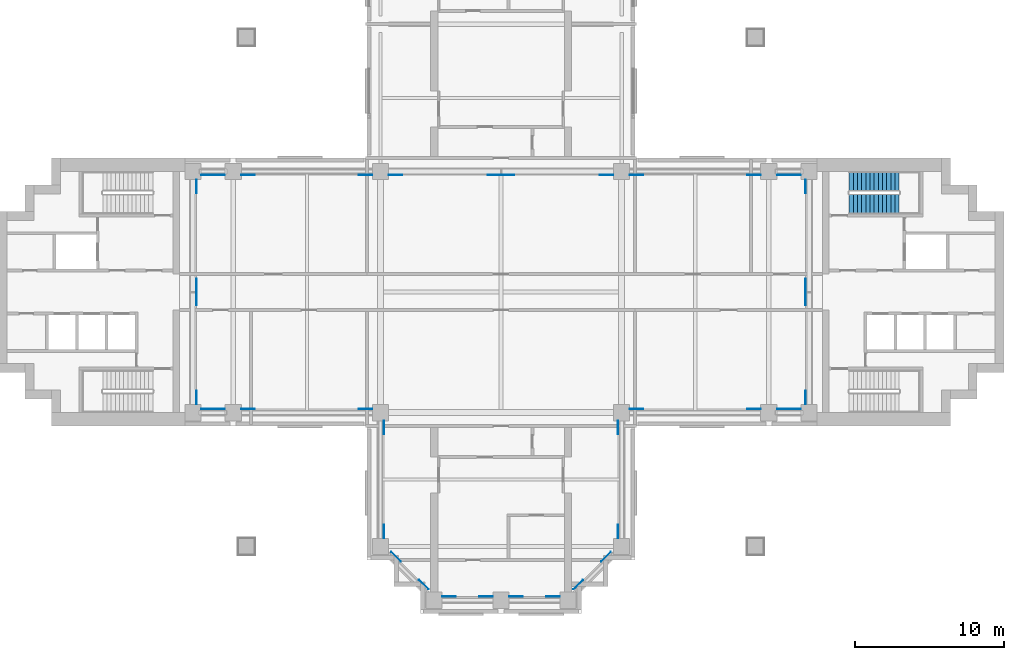
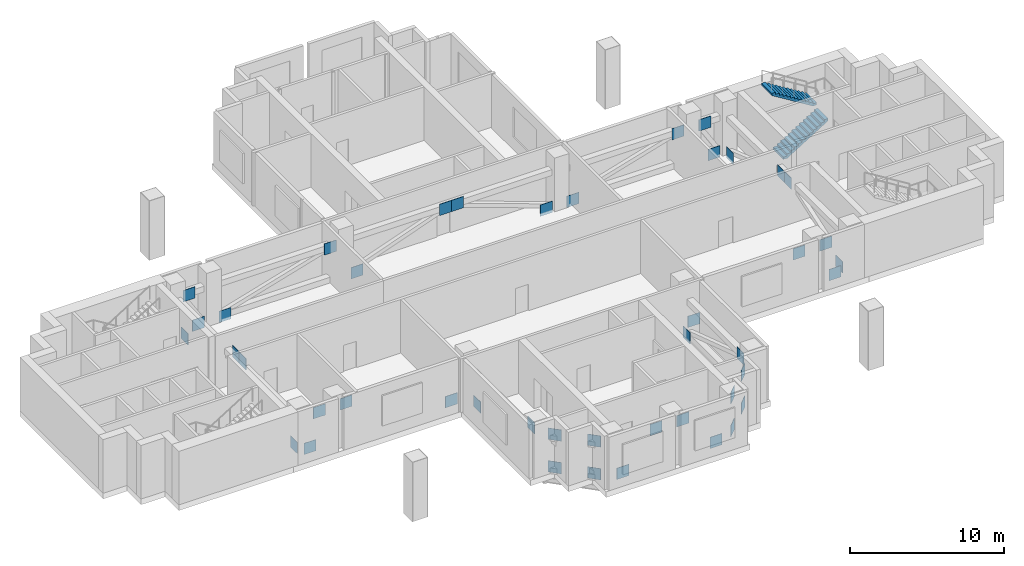
# One storey, part 9 of 11: 44 discrete accessories, 2 stair flights, 1 element without a shape of its own.
"""IFC4 building model written with IfcOpenShell, lengths in metres."""

from ifc_helpers import new_model, si_unit, direction, frame, origin, origin_2d, place, context, subcontext, project, spatial, polyline, rectangle, outline, extrude, material, type_object, element, aggregate, save


model = new_model("IFC4")

# Units and contexts
model_context = context("Model", 3, precision=1e-05, world=origin(), true_north=direction((0.0, 1.0)))
body_context = subcontext(model_context, "Body", "Model", "MODEL_VIEW")
ifc_project = project(units=[si_unit("LENGTHUNIT", "METRE"), si_unit("AREAUNIT", "SQUARE_METRE"), si_unit("VOLUMEUNIT", "CUBIC_METRE"), si_unit("PLANEANGLEUNIT", "RADIAN"), si_unit("MASSUNIT", "GRAM", prefix="KILO")], contexts=[model_context])

# Site, building, storey
site_placement = place(None, origin())
site = spatial("IfcSite", under=ifc_project, at=site_placement, CompositionType="ELEMENT")
building_placement = place(site_placement, origin())
building = spatial("IfcBuilding", under=site, at=building_placement, Name="Perihelion Cross Residences", CompositionType="ELEMENT")
storey_placement = place(building_placement, frame((0.0, 0.0, 162.10009765625)))
storey = spatial("IfcBuildingStorey", under=building, at=storey_placement, Name="L39", CompositionType="ELEMENT", Elevation=162.10009765625)

# Stair, stair flights
ifc_material_1 = material(Name="Concrete C40/50", Category="concrete")
stair_type = type_object("IfcStairType", Name="Exit stair, half-turn", PredefinedType="HALF_TURN_STAIR", material=ifc_material_1)
stair_placement = place(storey_placement, origin())
stair = element("IfcStair", 1, at=stair_placement, inside=storey, type_object=stair_type, Name="L39 East core exit stair 1", PredefinedType="HALF_TURN_STAIR")
ifc_material_2 = material(Name="Concrete C40/50", Category="concrete")
stair_flight_type = type_object("IfcStairFlightType", Name="Exit stair flight", PredefinedType="STRAIGHT", material=ifc_material_2)
stair_flight_1_placement = place(storey_placement, frame((23.39990234375, 5.925048828125, 0.0), z_axis=(0.0, 0.0, 1.0), x_axis=(1.0, 0.0, 0.0)))
stair_flight_1 = element("IfcStairFlight", 2, at=stair_flight_1_placement, type_object=stair_flight_type, Name="ST-E1 flight 1", NumberOfRisers=13, NumberOfTreads=12, PredefinedType="STRAIGHT", RiserHeight=0.173076923, TreadLength=0.28, context=body_context, shape_type="SweptSolid", body=[
    extrude(outline(polyline([(0.0, 0.0), (0.0, 0.173095703125), (0.280029296875, 0.173095703125), (0.280029296875, 0.34619140625), (0.56005859375, 0.34619140625), (0.56005859375, 0.519287109375), (0.840087890625, 0.519287109375), (0.840087890625, 0.6923828125), (1.1201171875, 0.6923828125), (1.1201171875, 0.865478515625), (1.39990234375, 0.865478515625), (1.39990234375, 1.03857421875), (1.679931640625, 1.03857421875), (1.679931640625, 1.21142578125), (1.9599609375, 1.21142578125), (1.9599609375, 1.384521484375), (2.239990234375, 1.384521484375), (2.239990234375, 1.5576171875), (2.52001953125, 1.5576171875), (2.52001953125, 1.730712890625), (2.800048828125, 1.730712890625), (2.800048828125, 1.90380859375), (3.080078125, 1.90380859375), (3.080078125, 2.076904296875), (3.360107421875, 2.076904296875), (3.360107421875, 2.25), (3.360107421875, 1.900634765625), (0.28515625, 0.0), (0.0, 0.0)])), frame((0.0, 0.675048828125, 0.0), z_axis=(0.0, -1.0, 0.0), x_axis=(1.0, 0.0, 0.0)), (0.0, 0.0, 1.0), 1.35009765625),
])
stair_flight_2_placement = place(storey_placement, frame((26.760009765625, 7.425048828125, 2.25), z_axis=(0.0, 0.0, 1.0), x_axis=(-1.0, 0.0, 0.0)))
stair_flight_2 = element("IfcStairFlight", 3, at=stair_flight_2_placement, type_object=stair_flight_type, Name="ST-E1 flight 2", NumberOfRisers=13, NumberOfTreads=12, PredefinedType="STRAIGHT", RiserHeight=0.173076923, TreadLength=0.28, context=body_context, shape_type="SweptSolid", body=[
    extrude(outline(polyline([(0.0, 0.0), (0.0, 0.173095703125), (0.280029296875, 0.173095703125), (0.280029296875, 0.34619140625), (0.56005859375, 0.34619140625), (0.56005859375, 0.519287109375), (0.840087890625, 0.519287109375), (0.840087890625, 0.6923828125), (1.1201171875, 0.6923828125), (1.1201171875, 0.865478515625), (1.39990234375, 0.865478515625), (1.39990234375, 1.03857421875), (1.679931640625, 1.03857421875), (1.679931640625, 1.21142578125), (1.9599609375, 1.21142578125), (1.9599609375, 1.384521484375), (2.239990234375, 1.384521484375), (2.239990234375, 1.5576171875), (2.52001953125, 1.5576171875), (2.52001953125, 1.730712890625), (2.800048828125, 1.730712890625), (2.800048828125, 1.90380859375), (3.080078125, 1.90380859375), (3.080078125, 2.076904296875), (3.360107421875, 2.076904296875), (3.360107421875, 2.25), (3.360107421875, 1.900634765625), (0.28515625, 0.0), (0.0, 0.0)])), frame((0.0, 0.675048828125, 0.0), z_axis=(0.0, -1.0, 0.0), x_axis=(1.0, 0.0, 0.0)), (0.0, 0.0, 1.0), 1.35009765625),
])
aggregate(stair, [stair_flight_1, stair_flight_2])

# Discrete accessories
ifc_material_3 = material(Name="Steel S355", Category="steel")
discrete_accessory_type = type_object("IfcDiscreteAccessoryType", Name="Gusset plate 900 x 900 x 30, steel S355", PredefinedType="BRACKET", material=ifc_material_3)
for number, where, z_axis, x_axis, name in (
    (4, (19.699951171875, 7.8564453125, -0.221435546875), (0.0, 0.0, 1.0), (-1.0, 0.0, 0.0), "Gusset plate 900 x 900 x 30"),
    (5, (19.0, 7.8564453125, 2.371337890625), (0.0, 0.0, 1.0), (1.0, 0.0, 0.0), "Gusset plate 900 x 900 x 30"),
    (6, (9.10009765625, 7.8564453125, -0.221435546875), (0.0, 0.0, 1.0), (1.0, 0.0, 0.0), "Gusset plate 900 x 900 x 30"),
    (7, (17.0, 7.8564453125, 2.371337890625), (0.0, 0.0, 1.0), (-1.0, 0.0, 0.0), "Gusset plate 900 x 900 x 30"),
    (8, (0.449951171875, 7.8564453125, 2.4814453125), (0.0, 0.0, 1.0), (1.0, 0.0, 0.0), "Gusset plate 900 x 900 x 30"),
    (9, (-0.449951171875, 7.8564453125, 2.4814453125), (0.0, 0.0, 1.0), (-1.0, 0.0, 0.0), "Gusset plate 900 x 900 x 30"),
    (10, (7.10009765625, 7.8564453125, -0.221435546875), (0.0, 0.0, 1.0), (-1.0, 0.0, 0.0), "Gusset plate 900 x 900 x 30"),
    (11, (-7.10009765625, 7.8564453125, -0.221435546875), (0.0, 0.0, 1.0), (1.0, 0.0, 0.0), "Gusset plate 900 x 900 x 30"),
    (12, (-17.0, 7.8564453125, -0.221435546875), (0.0, 0.0, 1.0), (1.0, 0.0, 0.0), "Gusset plate 900 x 900 x 30"),
    (13, (-9.10009765625, 7.8564453125, 2.371337890625), (0.0, 0.0, 1.0), (-1.0, 0.0, 0.0), "Gusset plate 900 x 900 x 30"),
    (14, (-19.0, 7.8564453125, -0.221435546875), (0.0, 0.0, 1.0), (-1.0, 0.0, 0.0), "Gusset plate 900 x 900 x 30"),
    (15, (-19.699951171875, 7.8564453125, 2.371337890625), (0.0, 0.0, 1.0), (1.0, 0.0, 0.0), "Gusset plate 900 x 900 x 30"),
    (16, (-20.45654296875, 0.449951171875, 2.371337890625), (0.0, 0.0, 1.0), (0.0, 1.0, 0.0), "Gusset plate 900 x 900 x 30"),
    (17, (-20.45654296875, -0.449951171875, 2.371337890625), (0.0, 0.0, 1.0), (0.0, -1.0, 0.0), "Gusset plate 900 x 900 x 30"),
    (18, (-20.45654296875, 7.10009765625, -0.221435546875), (0.0, 0.0, 1.0), (0.0, -1.0, 0.0), "Gusset plate 900 x 900 x 30"),
    (19, (-20.45654296875, -7.10009765625, -0.221435546875), (0.0, 0.0, 1.0), (0.0, 1.0, 0.0), "Gusset plate 900 x 900 x 30"),
    (20, (-19.699951171875, -7.8564453125, -0.221435546875), (0.0, 0.0, 1.0), (1.0, 0.0, 0.0), "Gusset plate 900 x 900 x 30"),
    (21, (-19.0, -7.8564453125, 2.371337890625), (0.0, 0.0, 1.0), (-1.0, 0.0, 0.0), "Gusset plate 900 x 900 x 30"),
    (22, (-9.10009765625, -7.8564453125, -0.221435546875), (0.0, 0.0, 1.0), (-1.0, 0.0, 0.0), "Gusset plate 900 x 900 x 30"),
    (23, (-17.0, -7.8564453125, 2.371337890625), (0.0, 0.0, 1.0), (1.0, 0.0, 0.0), "Gusset plate 900 x 900 x 30"),
    (24, (-7.8564453125, -9.10009765625, -0.221435546875), (0.0, 0.0, 1.0), (0.0, -1.0, 0.0), "Gusset plate 900 x 900 x 30"),
    (25, (-7.8564453125, -16.10009765625, 2.371337890625), (0.0, 0.0, 1.0), (0.0, 1.0, 0.0), "Gusset plate 900 x 900 x 30"),
    (26, (-5.196044921875, -19.65966796875, -0.221435546875), (0.0, 0.0, 1.0), (-0.707106781187, 0.707106781187, 0.0), "Gusset plate 900 x 900 x 30"),
    (27, (-7.0595703125, -17.7958984375, 2.371337890625), (0.0, 0.0, 1.0), (0.707106781187, -0.707106781187, 0.0), "Gusset plate 900 x 900 x 30"),
    (28, (-3.5, -20.45654296875, -0.221435546875), (0.0, 0.0, 1.0), (1.0, 0.0, 0.0), "Gusset plate 900 x 900 x 30"),
    (29, (-1.0, -20.45654296875, 2.371337890625), (0.0, 0.0, 1.0), (-1.0, 0.0, 0.0), "Gusset plate 900 x 900 x 30"),
    (30, (3.5, -20.45654296875, -0.221435546875), (0.0, 0.0, 1.0), (-1.0, 0.0, 0.0), "Gusset plate 900 x 900 x 30"),
    (31, (1.0, -20.45654296875, 2.371337890625), (0.0, 0.0, 1.0), (1.0, 0.0, 0.0), "Gusset plate 900 x 900 x 30"),
    (32, (5.196044921875, -19.65966796875, -0.221435546875), (0.0, 0.0, 1.0), (0.707106781187, 0.707106781187, 0.0), "Gusset plate 900 x 900 x 30"),
    (33, (7.0595703125, -17.7958984375, 2.371337890625), (0.0, 0.0, 1.0), (-0.707106781187, -0.707106781187, 0.0), "Gusset plate 900 x 900 x 30"),
    (34, (7.8564453125, -9.10009765625, -0.221435546875), (0.0, 0.0, 1.0), (0.0, -1.0, 0.0), "Gusset plate 900 x 900 x 30"),
    (35, (7.8564453125, -16.10009765625, 2.371337890625), (0.0, 0.0, 1.0), (0.0, 1.0, 0.0), "Gusset plate 900 x 900 x 30"),
    (36, (9.10009765625, -7.8564453125, -0.221435546875), (0.0, 0.0, 1.0), (1.0, 0.0, 0.0), "Gusset plate 900 x 900 x 30"),
    (37, (17.0, -7.8564453125, 2.371337890625), (0.0, 0.0, 1.0), (-1.0, 0.0, 0.0), "Gusset plate 900 x 900 x 30"),
    (38, (19.699951171875, -7.8564453125, -0.221435546875), (0.0, 0.0, 1.0), (-1.0, 0.0, 0.0), "Gusset plate 900 x 900 x 30"),
    (39, (19.0, -7.8564453125, 2.371337890625), (0.0, 0.0, 1.0), (1.0, 0.0, 0.0), "Gusset plate 900 x 900 x 30"),
    (40, (20.45654296875, -0.449951171875, 2.371337890625), (0.0, 0.0, 1.0), (0.0, -1.0, 0.0), "Gusset plate 900 x 900 x 30"),
    (41, (20.45654296875, 0.449951171875, 2.371337890625), (0.0, 0.0, 1.0), (0.0, 1.0, 0.0), "Gusset plate 900 x 900 x 30"),
    (42, (20.45654296875, -7.10009765625, -0.221435546875), (0.0, 0.0, 1.0), (0.0, 1.0, 0.0), "Gusset plate 900 x 900 x 30"),
    (43, (20.45654296875, 7.10009765625, -0.221435546875), (0.0, 0.0, 1.0), (0.0, -1.0, 0.0), "Gusset plate 900 x 900 x 30"),
    (44, (-5.196044921875, -19.65966796875, 2.371337890625), (0.0, 0.0, 1.0), (-0.707106781187, 0.707106781187, 0.0), "Gusset plate 900 x 900 x 30"),
    (45, (-7.0595703125, -17.7958984375, -0.221435546875), (0.0, 0.0, 1.0), (0.707106781187, -0.707106781187, 0.0), "Gusset plate 900 x 900 x 30"),
    (46, (5.196044921875, -19.65966796875, 2.371337890625), (0.0, 0.0, 1.0), (0.707106781187, 0.707106781187, 0.0), "Gusset plate 900 x 900 x 30"),
    (47, (7.0595703125, -17.7958984375, -0.221435546875), (0.0, 0.0, 1.0), (-0.707106781187, -0.707106781187, 0.0), "Gusset plate 900 x 900 x 30"),
):
    element("IfcDiscreteAccessory", number, at=place(storey_placement, frame(where, z_axis=z_axis, x_axis=x_axis)), inside=storey, type_object=discrete_accessory_type, Name=name, PredefinedType="BRACKET", context=body_context, shape_type="SweptSolid", body=[
        extrude(rectangle(XDim=0.89990234375, YDim=0.030029296875, at=origin_2d()), origin(), (0.0, 0.0, 1.0), 0.89990234375),
    ])

save(model, "model.ifc")
